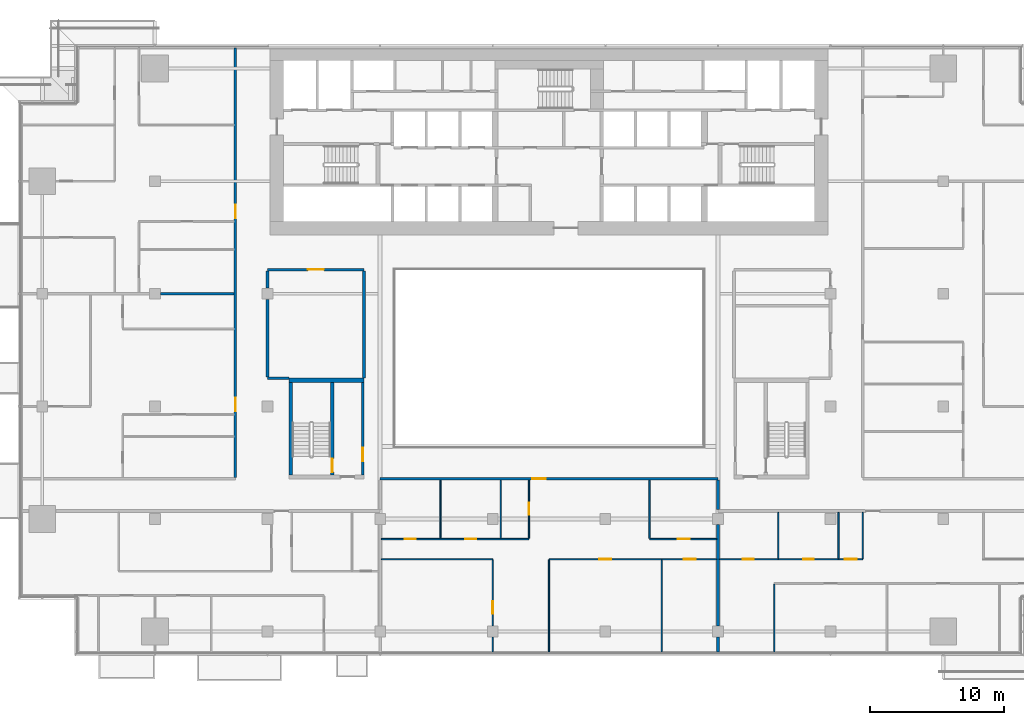
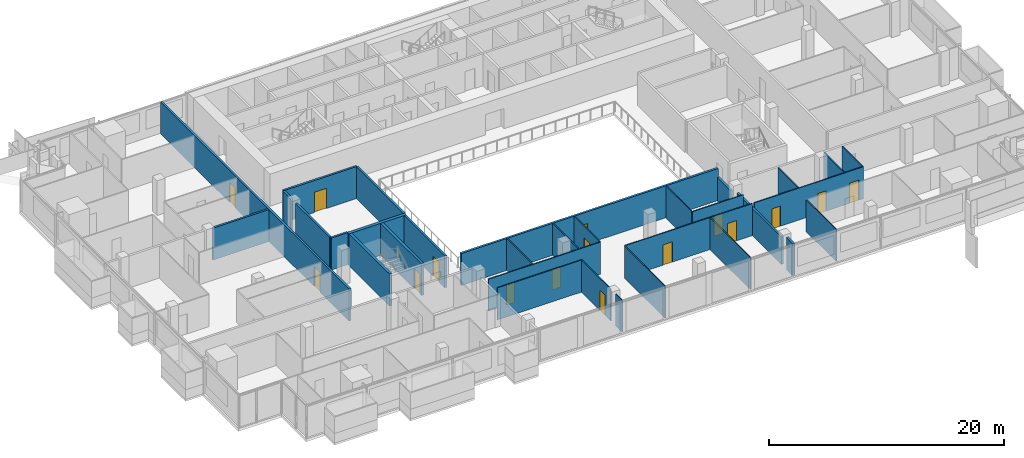
# One storey, part 18 of 29: 32 walls, 16 doors, 16 openings.
"""IFC4 building model written with IfcOpenShell, lengths in metres."""

import ifcopenshell
import ifcopenshell.guid

model = None  # the IFC model being written
_history = None  # IfcOwnerHistory: only IFC2X3 demands one
_inside = {}  # id of a spatial element -> (the spatial element, [elements in it])
_under = {}  # id of a project, library or spatial element -> (it, [spatial elements below it])
_declared = {}  # id of a project -> (the project, [libraries it declares])
_typed = {}  # id of a type object -> (the type object, [elements of that type])
_made_of = {}  # id of a material, layer set ... -> (it, [elements and type objects made of it])


def new_model(schema):
    """Start an empty IFC model of exactly this schema.

    Asked for "IFC4X3", IfcOpenShell would pick the latest addendum, in which some entities
    have other attributes; the version numbers below select the first issue.
    IFC2X3 requires an IfcOwnerHistory on every rooted entity: one is made here for all.
    """
    global model, _history
    if schema == "IFC4X3":
        model = ifcopenshell.file(schema_version=(4, 3, 0, 0))
    else:
        model = ifcopenshell.file(schema=schema)
    _inside.clear()
    _under.clear()
    _declared.clear()
    _typed.clear()
    _made_of.clear()
    _history = None
    if model.schema == "IFC2X3":
        org = make("IfcOrganization", Name="unknown")
        user = make(
            "IfcPersonAndOrganization",
            ThePerson=make("IfcPerson", FamilyName="unknown"),
            TheOrganization=org,
        )
        app = make(
            "IfcApplication",
            ApplicationDeveloper=org,
            Version="unknown",
            ApplicationFullName="unknown",
            ApplicationIdentifier="unknown",
        )
        _history = make(
            "IfcOwnerHistory",
            OwningUser=user,
            OwningApplication=app,
            ChangeAction="ADDED",
            CreationDate=0,
        )
    return model


def make(cls, **values):
    """One entity of the class cls with the attributes given. An attribute that is None is left unset."""
    return model.create_entity(
        cls, **{name: value for name, value in values.items() if value is not None}
    )


def rooted(cls, **values):
    """An entity with a GlobalId (a new one), such as an element, a storey or a relation."""
    return make(cls, GlobalId=ifcopenshell.guid.new(), OwnerHistory=_history, **values)


def si_unit(unit_type, name, prefix=None):
    """IfcSIUnit, for example si_unit("LENGTHUNIT", "METRE", prefix="MILLI")."""
    return make("IfcSIUnit", UnitType=unit_type, Prefix=prefix, Name=name)


def assignment(units):
    """IfcUnitAssignment: the units of a project."""
    return None if units is None else make("IfcUnitAssignment", Units=units)


def point(xyz):
    """IfcCartesianPoint."""
    return None if xyz is None else make("IfcCartesianPoint", Coordinates=xyz)


def direction(xyz):
    """IfcDirection."""
    return None if xyz is None else make("IfcDirection", DirectionRatios=xyz)


def frame(location, z_axis=None, x_axis=None):
    """IfcAxis2Placement3D, a coordinate frame: its origin and axes. An axis left out is left unset."""
    return make(
        "IfcAxis2Placement3D",
        Location=point(location),
        Axis=direction(z_axis),
        RefDirection=direction(x_axis),
    )


def frame_2d(location, x_axis=None):
    """IfcAxis2Placement2D, a coordinate frame in the plane: its origin and x axis."""
    return make(
        "IfcAxis2Placement2D", Location=point(location), RefDirection=direction(x_axis)
    )


def origin():
    """The frame at (0, 0, 0) with its axes left unset."""
    return frame((0.0, 0.0, 0.0))


def place(relative_to, where):
    """IfcLocalPlacement: puts the frame where relative to a parent placement (None: the world)."""
    return make(
        "IfcLocalPlacement", PlacementRelTo=relative_to, RelativePlacement=where
    )


def context(
    kind, dimensions, precision=None, world=None, true_north=None, identifier=None
):
    """IfcGeometricRepresentationContext, for example the 3D "Model" context."""
    return make(
        "IfcGeometricRepresentationContext",
        ContextIdentifier=identifier,
        ContextType=kind,
        CoordinateSpaceDimension=dimensions,
        Precision=precision,
        WorldCoordinateSystem=world,
        TrueNorth=true_north,
    )


def subcontext(parent, identifier, kind, view, scale=None):
    """IfcGeometricRepresentationSubContext, for example "Body" below "Model"."""
    return make(
        "IfcGeometricRepresentationSubContext",
        ContextIdentifier=identifier,
        ContextType=kind,
        ParentContext=parent,
        TargetScale=scale,
        TargetView=view,
    )


def project(units=None, contexts=None):
    """IfcProject with its units and contexts."""
    return rooted(
        "IfcProject",
        Name="project",
        RepresentationContexts=contexts,
        UnitsInContext=assignment(units),
    )


def spatial(cls, under=None, at=None, **own):
    """A site, building, storey or space (cls), placed at a placement, below another one or the project."""
    s = rooted(cls, ObjectPlacement=at, **own)
    if under is not None:
        _under.setdefault(under.id(), (under, []))[1].append(s)
    return s


def profile(cls, at=None, kind="AREA", **sizes):
    """A parametric profile (cls). Its sizes go by their IFC names, for example OverallWidth=200.0."""
    return make(cls, ProfileType=kind, Position=at, **sizes)


def rectangle(**sizes):
    """IfcRectangleProfileDef."""
    return profile("IfcRectangleProfileDef", **sizes)


def extrude(swept, where, along, depth):
    """IfcExtrudedAreaSolid: the profile swept, set in the frame where, extruded along a direction by depth."""
    return make(
        "IfcExtrudedAreaSolid",
        SweptArea=swept,
        Position=where,
        ExtrudedDirection=direction(along),
        Depth=depth,
    )


def shape(context_of_items, identifier, shape_type, items):
    """IfcShapeRepresentation: the items that make up one representation, for example the "Body"."""
    return make(
        "IfcShapeRepresentation",
        ContextOfItems=context_of_items,
        RepresentationIdentifier=identifier,
        RepresentationType=shape_type,
        Items=items,
    )


def material(Name=None, Category=None):
    """IfcMaterial."""
    return make("IfcMaterial", Name=Name, Category=Category)


def layer(
    of_material, thickness, ventilated=None, Name=None, Category=None, Priority=None
):
    """IfcMaterialLayer: one layer of a wall or slab, of a material (None: an air gap)."""
    return make(
        "IfcMaterialLayer",
        Material=of_material,
        LayerThickness=thickness,
        IsVentilated=ventilated,
        Name=Name,
        Category=Category,
        Priority=Priority,
    )


def layer_set(layers, Name=None):
    """IfcMaterialLayerSet."""
    return make("IfcMaterialLayerSet", MaterialLayers=layers, LayerSetName=Name)


def made_of(thing, what):
    """Note that an element or type object is made of a material, layer set ...; save() writes the relation."""
    if what is not None:
        _made_of.setdefault(what.id(), (what, []))[1].append(thing)
    return thing


def type_object(cls, material=None, **own):
    """A type object (cls), such as IfcWallType, which elements share."""
    return made_of(rooted(cls, **own), material)


def element(
    cls,
    number,
    at=None,
    inside=None,
    cuts=None,
    type_object=None,
    material=None,
    context=None,
    identifier="Body",
    shape_type=None,
    held_by="IfcProductDefinitionShape",
    body=None,
    shapes=None,
    **own,
):
    """One element of the class cls, such as IfcWall. Its Tag is "e" and its number.

    at: its placement. inside: the storey or other place that contains it. cuts: it is an
    opening in that element (IfcRelVoidsElement). A single representation is given by context,
    identifier, shape_type and body (its items); several are given by shapes. held_by: the class
    of the entity that holds the representations. save() writes the other relations.
    """
    e = rooted(cls, Tag="e%d" % number, ObjectPlacement=at, **own)
    if body is not None:
        shapes = [shape(context, identifier, shape_type, body)]
    if shapes is not None:
        e.Representation = make(held_by, Representations=shapes)
    if inside is not None:
        _inside.setdefault(inside.id(), (inside, []))[1].append(e)
    if cuts is not None:
        rooted(
            "IfcRelVoidsElement", RelatingBuildingElement=cuts, RelatedOpeningElement=e
        )
    if type_object is not None:
        _typed.setdefault(type_object.id(), (type_object, []))[1].append(e)
    return made_of(e, material)


def fill(opening, filler):
    """IfcRelFillsElement: the door or window that sits in an opening."""
    return rooted(
        "IfcRelFillsElement",
        RelatingOpeningElement=opening,
        RelatedBuildingElement=filler,
    )


def aggregate(whole, parts):
    """IfcRelAggregates: a whole, such as a stair, and the parts it consists of."""
    return rooted("IfcRelAggregates", RelatingObject=whole, RelatedObjects=parts)


def save(model, path):
    """Write the relations noted so far, then the file.

    IfcRelAggregates (storeys below a building ...), IfcRelContainedInSpatialStructure (elements
    in a storey), IfcRelDefinesByType, IfcRelAssociatesMaterial and IfcRelDeclares: one each for
    every whole, place, type object, material and project.
    """
    for whole, parts in _under.values():
        aggregate(whole, parts)
    for where, things in _inside.values():
        rooted(
            "IfcRelContainedInSpatialStructure",
            RelatedElements=things,
            RelatingStructure=where,
        )
    for kind, things in _typed.values():
        rooted("IfcRelDefinesByType", RelatedObjects=things, RelatingType=kind)
    for what, things in _made_of.values():
        rooted("IfcRelAssociatesMaterial", RelatedObjects=things, RelatingMaterial=what)
    for by, libraries in _declared.values():
        rooted("IfcRelDeclares", RelatingContext=by, RelatedDefinitions=libraries)
    model.write(path)


model = new_model("IFC4")

# Units and contexts
model_context = context("Model", 3, precision=1e-05, world=origin(), true_north=direction((0.0, 1.0)))
body_context = subcontext(model_context, "Body", "Model", "MODEL_VIEW")
ifc_project = project(units=[si_unit("LENGTHUNIT", "METRE"), si_unit("AREAUNIT", "SQUARE_METRE"), si_unit("VOLUMEUNIT", "CUBIC_METRE"), si_unit("PLANEANGLEUNIT", "RADIAN"), si_unit("MASSUNIT", "GRAM", prefix="KILO")], contexts=[model_context])

# Site, building, storey
site_placement = place(None, origin())
site = spatial("IfcSite", under=ifc_project, at=site_placement, CompositionType="ELEMENT")
building_placement = place(site_placement, origin())
building = spatial("IfcBuilding", under=site, at=building_placement, Name="Saffron Gate Tower", CompositionType="ELEMENT")
storey_placement = place(building_placement, frame((0.0, 0.0, 106.050048828125)))
storey = spatial("IfcBuildingStorey", under=building, at=storey_placement, Name="L24", CompositionType="ELEMENT", Elevation=106.050048828125)

# Wall, opening, door
ifc_material_1 = material(Name="Gypsum board partition on steel studs", Category="steel")
ifc_layer_1 = layer(ifc_material_1, 0.199951171875)
ifc_layer_set_1 = layer_set([ifc_layer_1], Name="CW10 Core partition 200")
wall_type_1 = type_object("IfcWallType", Name="CW10 Core partition 200", PredefinedType="PARTITIONING", material=ifc_layer_set_1)
wall_1_placement = place(storey_placement, frame((73.699951171875, 43.5, 0.0), z_axis=(0.0, 0.0, 1.0), x_axis=(0.0, 1.0, 0.0)))
wall_1 = element("IfcWall", 1, at=wall_1_placement, inside=storey, type_object=wall_type_1, Name="Wall CW10-L24-D-4", PredefinedType="PARTITIONING", context=body_context, shape_type="SweptSolid", body=[
    extrude(rectangle(XDim=6.89990234375, YDim=0.199951171875, at=frame_2d((3.449951171875, 0.0))), origin(), (0.0, 0.0, 1.0), 3.320068359375),
])
opening_1_placement = place(wall_1_placement, frame((1.0, 0.0, 0.0)))
opening_1 = element("IfcOpeningElement", 2, at=opening_1_placement, cuts=wall_1, Name="Opening CR-19", PredefinedType="OPENING", context=body_context, shape_type="SweptSolid", body=[
    extrude(rectangle(XDim=1.0, YDim=2.10009765625, at=frame_2d((0.5, 1.050048828125))), frame((0.0, 0.10986328125, 0.0), z_axis=(0.0, -1.0, 0.0), x_axis=(1.0, 0.0, 0.0)), (0.0, 0.0, 1.0), 0.219970703125),
])
ifc_material_2 = material(Name="Steel fire door set", Category="steel")
door_type_1 = type_object("IfcDoorType", Name="CD4 Lobby door 1000x2100 EI 120", OperationType="NOTDEFINED", PredefinedType="DOOR", material=ifc_material_2)
door_1_placement = place(opening_1_placement, origin())
door_1 = element("IfcDoor", 3, at=door_1_placement, inside=storey, type_object=door_type_1, Name="DOOR CR-19", OperationType="SINGLE_SWING_RIGHT", OverallHeight=2.10009765625, OverallWidth=1.0, PredefinedType="DOOR", context=body_context, shape_type="SweptSolid", body=[
    extrude(rectangle(XDim=1.0, YDim=2.10009765625, at=frame_2d((0.5, 1.050048828125))), frame((0.0, 0.02490234375, 0.0), z_axis=(0.0, -1.0, 0.0), x_axis=(1.0, 0.0, 0.0)), (0.0, 0.0, 1.0), 0.050048828125),
])
fill(opening_1, door_1)

# Wall
ifc_material_3 = material(Name="Concrete C70", Category="concrete")
ifc_layer_2 = layer(ifc_material_3, 0.25)
ifc_layer_set_2 = layer_set([ifc_layer_2], Name="CW2 RC core wall 250 C70")
wall_type_2 = type_object("IfcWallType", Name="CW2 RC core wall 250 C70", PredefinedType="SOLIDWALL", material=ifc_layer_set_2)
wall_2_placement = place(storey_placement, frame((68.324951171875, 43.5, 0.0), z_axis=(0.0, 0.0, 1.0), x_axis=(0.0, 1.0, 0.0)))
element("IfcWall", 4, at=wall_2_placement, inside=storey, type_object=wall_type_2, Name="Wall CW2-L24-D-2", PredefinedType="SOLIDWALL", context=body_context, shape_type="SweptSolid", body=[
    extrude(rectangle(XDim=6.89990234375, YDim=0.25, at=frame_2d((3.449951171875, 0.0))), origin(), (0.0, 0.0, 1.0), 3.320068359375),
])

# Wall, opening, door
wall_3_placement = place(storey_placement, frame((71.425048828125, 43.5, 0.0), z_axis=(0.0, 0.0, 1.0), x_axis=(0.0, 1.0, 0.0)))
wall_3 = element("IfcWall", 5, at=wall_3_placement, inside=storey, type_object=wall_type_2, Name="Wall CW2-L24-D-3", PredefinedType="SOLIDWALL", context=body_context, shape_type="SweptSolid", body=[
    extrude(rectangle(XDim=6.89990234375, YDim=0.25, at=frame_2d((3.449951171875, 0.0))), origin(), (0.0, 0.0, 1.0), 3.320068359375),
])
opening_2_placement = place(wall_3_placement, frame((0.199951171875, 0.0, 0.0)))
opening_2 = element("IfcOpeningElement", 6, at=opening_2_placement, cuts=wall_3, Name="Opening CR-20", PredefinedType="OPENING", context=body_context, shape_type="SweptSolid", body=[
    extrude(rectangle(XDim=1.0, YDim=2.10009765625, at=frame_2d((0.5, 1.050048828125))), frame((0.0, 0.135009765625, 0.0), z_axis=(0.0, -1.0, 0.0), x_axis=(1.0, 0.0, 0.0)), (0.0, 0.0, 1.0), 0.27001953125),
])
door_type_2 = type_object("IfcDoorType", Name="CD5 Stair door 1000x2100 EI 120", OperationType="NOTDEFINED", PredefinedType="DOOR", material=ifc_material_2)
door_2_placement = place(opening_2_placement, origin())
door_2 = element("IfcDoor", 7, at=door_2_placement, inside=storey, type_object=door_type_2, Name="DOOR CR-20", OperationType="SINGLE_SWING_LEFT", OverallHeight=2.10009765625, OverallWidth=1.0, PredefinedType="DOOR", context=body_context, shape_type="SweptSolid", body=[
    extrude(rectangle(XDim=1.0, YDim=2.10009765625, at=frame_2d((0.5, 1.050048828125))), frame((0.0, 0.02490234375, 0.0), z_axis=(0.0, -1.0, 0.0), x_axis=(1.0, 0.0, 0.0)), (0.0, 0.0, 1.0), 0.050048828125),
])
fill(opening_2, door_2)

# Walls
ifc_layer_3 = layer(ifc_material_3, 0.300048828125)
ifc_layer_set_3 = layer_set([ifc_layer_3], Name="CW5 RC core wall 300 C70")
wall_type_3 = type_object("IfcWallType", Name="CW5 RC core wall 300 C70", PredefinedType="SOLIDWALL", material=ifc_layer_set_3)
wall_4_placement = place(storey_placement, frame((68.199951171875, 50.550048828125, 0.0), z_axis=(0.0, 0.0, 1.0), x_axis=(1.0, 0.0, 0.0)))
element("IfcWall", 8, at=wall_4_placement, inside=storey, type_object=wall_type_3, Name="Wall CW5-L24-D-5", PredefinedType="SOLIDWALL", context=body_context, shape_type="SweptSolid", body=[
    extrude(rectangle(XDim=5.60009765625, YDim=0.300048828125, at=frame_2d((2.800048828125, 0.0))), origin(), (0.0, 0.0, 1.0), 3.320068359375),
])
ifc_material_4 = material(Name="Plasterboard on steel studs", Category="steel")
ifc_layer_4 = layer(ifc_material_4, 0.10009765625)
ifc_layer_set_4 = layer_set([ifc_layer_4], Name="PW1 Partition 100")
wall_type_4 = type_object("IfcWallType", Name="PW1 Partition 100", PredefinedType="PARTITIONING", material=ifc_layer_set_4)
wall_5_placement = place(storey_placement, frame((75.10009765625, 37.199951171875, 0.0), z_axis=(0.0, 0.0, 1.0), x_axis=(1.0, 0.0, 0.0)))
element("IfcWall", 9, at=wall_5_placement, inside=storey, type_object=wall_type_4, Name="Partition B2-5", PredefinedType="PARTITIONING", context=body_context, shape_type="SweptSolid", body=[
    extrude(rectangle(XDim=8.2998046875, YDim=0.10009765625, at=frame_2d((4.14990234375, 0.0))), origin(), (0.0, 0.0, 1.0), 3.320068359375),
])

# Wall, openings, doors
wall_6_placement = place(storey_placement, frame((75.10009765625, 38.699951171875, 0.0), z_axis=(0.0, 0.0, 1.0), x_axis=(1.0, 0.0, 0.0)))
wall_6 = element("IfcWall", 10, at=wall_6_placement, inside=storey, type_object=wall_type_4, Name="Partition B2-7", PredefinedType="PARTITIONING", context=body_context, shape_type="SweptSolid", body=[
    extrude(rectangle(XDim=11.0, YDim=0.10009765625, at=frame_2d((5.5, 0.0))), origin(), (0.0, 0.0, 1.0), 3.320068359375),
])
opening_3_placement = place(wall_6_placement, frame((1.75, 0.0, 0.0)))
opening_3 = element("IfcOpeningElement", 11, at=opening_3_placement, cuts=wall_6, Name="Opening B2-38", PredefinedType="OPENING", context=body_context, shape_type="SweptSolid", body=[
    extrude(rectangle(XDim=0.800048828125, YDim=2.10009765625, at=frame_2d((0.39990234375, 1.050048828125))), frame((0.0, 0.06005859375, 0.0), z_axis=(0.0, -1.0, 0.0), x_axis=(1.0, 0.0, 0.0)), (0.0, 0.0, 1.0), 0.1201171875),
])
opening_4_placement = place(wall_6_placement, frame((6.25, 0.0, 0.0)))
opening_4 = element("IfcOpeningElement", 12, at=opening_4_placement, cuts=wall_6, Name="Opening B2-39", PredefinedType="OPENING", context=body_context, shape_type="SweptSolid", body=[
    extrude(rectangle(XDim=0.800048828125, YDim=2.10009765625, at=frame_2d((0.39990234375, 1.050048828125))), frame((0.0, 0.06005859375, 0.0), z_axis=(0.0, -1.0, 0.0), x_axis=(1.0, 0.0, 0.0)), (0.0, 0.0, 1.0), 0.1201171875),
])
ifc_material_5 = material(Name="Timber door set", Category="wood")
door_type_3 = type_object("IfcDoorType", Name="RD2 Bathroom door 800x2100", OperationType="NOTDEFINED", PredefinedType="DOOR", material=ifc_material_5)
door_3_placement = place(opening_3_placement, origin())
door_3 = element("IfcDoor", 13, at=door_3_placement, inside=storey, type_object=door_type_3, Name="Door B2-38", OperationType="SINGLE_SWING_LEFT", OverallHeight=2.10009765625, OverallWidth=0.800048828125, PredefinedType="DOOR", context=body_context, shape_type="SweptSolid", body=[
    extrude(rectangle(XDim=0.800048828125, YDim=2.10009765625, at=frame_2d((0.39990234375, 1.050048828125))), frame((0.0, 0.02490234375, 0.0), z_axis=(0.0, -1.0, 0.0), x_axis=(1.0, 0.0, 0.0)), (0.0, 0.0, 1.0), 0.050048828125),
])
fill(opening_3, door_3)
door_4_placement = place(opening_4_placement, origin())
door_4 = element("IfcDoor", 14, at=door_4_placement, inside=storey, type_object=door_type_3, Name="Door B2-39", OperationType="SINGLE_SWING_LEFT", OverallHeight=2.10009765625, OverallWidth=0.800048828125, PredefinedType="DOOR", context=body_context, shape_type="SweptSolid", body=[
    extrude(rectangle(XDim=0.800048828125, YDim=2.10009765625, at=frame_2d((0.39990234375, 1.050048828125))), frame((0.0, 0.02490234375, 0.0), z_axis=(0.0, -1.0, 0.0), x_axis=(1.0, 0.0, 0.0)), (0.0, 0.0, 1.0), 0.050048828125),
])
fill(opening_4, door_4)

# Wall, opening, door
wall_7_placement = place(storey_placement, frame((95.10009765625, 38.699951171875, 0.0), z_axis=(0.0, 0.0, 1.0), x_axis=(1.0, 0.0, 0.0)))
wall_7 = element("IfcWall", 15, at=wall_7_placement, inside=storey, type_object=wall_type_4, Name="Partition B2-8", PredefinedType="PARTITIONING", context=body_context, shape_type="SweptSolid", body=[
    extrude(rectangle(XDim=5.0, YDim=0.10009765625, at=frame_2d((2.5, 0.0))), origin(), (0.0, 0.0, 1.0), 3.320068359375),
])
opening_5_placement = place(wall_7_placement, frame((2.10009765625, 0.0, 0.0)))
opening_5 = element("IfcOpeningElement", 16, at=opening_5_placement, cuts=wall_7, Name="Opening B2-16", PredefinedType="OPENING", context=body_context, shape_type="SweptSolid", body=[
    extrude(rectangle(XDim=0.89990234375, YDim=2.10009765625, at=frame_2d((0.449951171875, 1.050048828125))), frame((0.0, 0.06005859375, 0.0), z_axis=(0.0, -1.0, 0.0), x_axis=(1.0, 0.0, 0.0)), (0.0, 0.0, 1.0), 0.1201171875),
])
door_type_4 = type_object("IfcDoorType", Name="RD1 Room door 900x2100", OperationType="NOTDEFINED", PredefinedType="DOOR", material=ifc_material_5)
door_5_placement = place(opening_5_placement, origin())
door_5 = element("IfcDoor", 17, at=door_5_placement, inside=storey, type_object=door_type_4, Name="Door B2-16", OperationType="SINGLE_SWING_RIGHT", OverallHeight=2.10009765625, OverallWidth=0.89990234375, PredefinedType="DOOR", context=body_context, shape_type="SweptSolid", body=[
    extrude(rectangle(XDim=0.89990234375, YDim=2.10009765625, at=frame_2d((0.449951171875, 1.050048828125))), frame((0.0, 0.02490234375, 0.0), z_axis=(0.0, -1.0, 0.0), x_axis=(1.0, 0.0, 0.0)), (0.0, 0.0, 1.0), 0.050048828125),
])
fill(opening_5, door_5)

# Walls
wall_8_placement = place(storey_placement, frame((79.5, 43.10009765625, 0.0), z_axis=(0.0, 0.0, 1.0), x_axis=(0.0, -1.0, 0.0)))
element("IfcWall", 18, at=wall_8_placement, inside=storey, type_object=wall_type_4, Name="Partition B2-72", PredefinedType="PARTITIONING", context=body_context, shape_type="SweptSolid", body=[
    extrude(rectangle(XDim=4.35009765625, YDim=0.10009765625, at=frame_2d((2.175048828125, 0.0))), origin(), (0.0, 0.0, 1.0), 3.320068359375),
])
wall_9_placement = place(storey_placement, frame((83.39990234375, 31.3798828125, 0.0), z_axis=(0.0, 0.0, 1.0), x_axis=(0.0, -1.0, 0.0)))
element("IfcWall", 19, at=wall_9_placement, inside=storey, type_object=wall_type_4, Name="Partition B2-73", PredefinedType="PARTITIONING", context=body_context, shape_type="SweptSolid", body=[
    extrude(rectangle(XDim=1.099853515625, YDim=0.10009765625, at=frame_2d((0.5498046875, 0.0))), origin(), (0.0, 0.0, 1.0), 3.320068359375),
])

# Wall, opening, door
wall_10_placement = place(storey_placement, frame((83.39990234375, 32.219970703125, 0.0), z_axis=(0.0, 0.0, 1.0), x_axis=(0.0, 1.0, 0.0)))
wall_10 = element("IfcWall", 20, at=wall_10_placement, inside=storey, type_object=wall_type_4, Name="Partition B2-74", PredefinedType="PARTITIONING", context=body_context, shape_type="SweptSolid", body=[
    extrude(rectangle(XDim=4.929931640625, YDim=0.10009765625, at=frame_2d((2.46484375, 0.0))), origin(), (0.0, 0.0, 1.0), 3.320068359375),
])
opening_6_placement = place(wall_10_placement, frame((0.929931640625, 0.0, 0.0)))
opening_6 = element("IfcOpeningElement", 21, at=opening_6_placement, cuts=wall_10, Name="Opening B2-13", PredefinedType="OPENING", context=body_context, shape_type="SweptSolid", body=[
    extrude(rectangle(XDim=0.89990234375, YDim=2.10009765625, at=frame_2d((0.449951171875, 1.050048828125))), frame((0.0, 0.06005859375, 0.0), z_axis=(0.0, -1.0, 0.0), x_axis=(1.0, 0.0, 0.0)), (0.0, 0.0, 1.0), 0.1201171875),
])
door_6_placement = place(opening_6_placement, origin())
door_6 = element("IfcDoor", 22, at=door_6_placement, inside=storey, type_object=door_type_4, Name="Door B2-13", OperationType="SINGLE_SWING_LEFT", OverallHeight=2.10009765625, OverallWidth=0.89990234375, PredefinedType="DOOR", context=body_context, shape_type="SweptSolid", body=[
    extrude(rectangle(XDim=0.89990234375, YDim=2.10009765625, at=frame_2d((0.449951171875, 1.050048828125))), frame((0.0, 0.02490234375, 0.0), z_axis=(0.0, -1.0, 0.0), x_axis=(1.0, 0.0, 0.0)), (0.0, 0.0, 1.0), 0.050048828125),
])
fill(opening_6, door_6)

# Wall
wall_11_placement = place(storey_placement, frame((84.0, 43.10009765625, 0.0), z_axis=(0.0, 0.0, 1.0), x_axis=(0.0, -1.0, 0.0)))
element("IfcWall", 23, at=wall_11_placement, inside=storey, type_object=wall_type_4, Name="Partition B2-75", PredefinedType="PARTITIONING", context=body_context, shape_type="SweptSolid", body=[
    extrude(rectangle(XDim=4.35009765625, YDim=0.10009765625, at=frame_2d((2.175048828125, 0.0))), origin(), (0.0, 0.0, 1.0), 3.320068359375),
])

# Wall, opening, door
wall_12_placement = place(storey_placement, frame((86.10009765625, 38.75, 0.0), z_axis=(0.0, 0.0, 1.0), x_axis=(0.0, 1.0, 0.0)))
wall_12 = element("IfcWall", 24, at=wall_12_placement, inside=storey, type_object=wall_type_4, Name="Partition B2-76", PredefinedType="PARTITIONING", context=body_context, shape_type="SweptSolid", body=[
    extrude(rectangle(XDim=4.35009765625, YDim=0.10009765625, at=frame_2d((2.175048828125, 0.0))), origin(), (0.0, 0.0, 1.0), 3.320068359375),
])
opening_7_placement = place(wall_12_placement, frame((1.75, 0.0, 0.0)))
opening_7 = element("IfcOpeningElement", 25, at=opening_7_placement, cuts=wall_12, Name="Opening B2-17", PredefinedType="OPENING", context=body_context, shape_type="SweptSolid", body=[
    extrude(rectangle(XDim=0.89990234375, YDim=2.10009765625, at=frame_2d((0.449951171875, 1.050048828125))), frame((0.0, 0.06005859375, 0.0), z_axis=(0.0, -1.0, 0.0), x_axis=(1.0, 0.0, 0.0)), (0.0, 0.0, 1.0), 0.1201171875),
])
door_7_placement = place(opening_7_placement, origin())
door_7 = element("IfcDoor", 26, at=door_7_placement, inside=storey, type_object=door_type_4, Name="Door B2-17", OperationType="SINGLE_SWING_RIGHT", OverallHeight=2.10009765625, OverallWidth=0.89990234375, PredefinedType="DOOR", context=body_context, shape_type="SweptSolid", body=[
    extrude(rectangle(XDim=0.89990234375, YDim=2.10009765625, at=frame_2d((0.449951171875, 1.050048828125))), frame((0.0, 0.02490234375, 0.0), z_axis=(0.0, -1.0, 0.0), x_axis=(1.0, 0.0, 0.0)), (0.0, 0.0, 1.0), 0.050048828125),
])
fill(opening_7, door_7)

# Walls
wall_13_placement = place(storey_placement, frame((87.60009765625, 37.14990234375, 0.0), z_axis=(0.0, 0.0, 1.0), x_axis=(0.0, -1.0, 0.0)))
element("IfcWall", 27, at=wall_13_placement, inside=storey, type_object=wall_type_4, Name="Partition B2-77", PredefinedType="PARTITIONING", context=body_context, shape_type="SweptSolid", body=[
    extrude(rectangle(XDim=6.869873046875, YDim=0.10009765625, at=frame_2d((3.43505859375, 0.0))), origin(), (0.0, 0.0, 1.0), 3.320068359375),
])
wall_14_placement = place(storey_placement, frame((95.10009765625, 43.10009765625, 0.0), z_axis=(0.0, 0.0, 1.0), x_axis=(0.0, -1.0, 0.0)))
element("IfcWall", 28, at=wall_14_placement, inside=storey, type_object=wall_type_4, Name="Partition B2-78", PredefinedType="PARTITIONING", context=body_context, shape_type="SweptSolid", body=[
    extrude(rectangle(XDim=4.35009765625, YDim=0.10009765625, at=frame_2d((2.175048828125, 0.0))), origin(), (0.0, 0.0, 1.0), 3.320068359375),
])
wall_15_placement = place(storey_placement, frame((96.0, 37.14990234375, 0.0), z_axis=(0.0, 0.0, 1.0), x_axis=(0.0, -1.0, 0.0)))
element("IfcWall", 29, at=wall_15_placement, inside=storey, type_object=wall_type_4, Name="Partition B2-79", PredefinedType="PARTITIONING", context=body_context, shape_type="SweptSolid", body=[
    extrude(rectangle(XDim=6.869873046875, YDim=0.10009765625, at=frame_2d((3.43505859375, 0.0))), origin(), (0.0, 0.0, 1.0), 3.320068359375),
])
wall_16_placement = place(storey_placement, frame((104.39990234375, 35.35009765625, 0.0), z_axis=(0.0, 0.0, 1.0), x_axis=(0.0, -1.0, 0.0)))
element("IfcWall", 30, at=wall_16_placement, inside=storey, type_object=wall_type_4, Name="Partition B2-84", PredefinedType="PARTITIONING", context=body_context, shape_type="SweptSolid", body=[
    extrude(rectangle(XDim=5.070068359375, YDim=0.10009765625, at=frame_2d((2.53515625, 0.0))), origin(), (0.0, 0.0, 1.0), 3.320068359375),
])
for number, where, z_axis, x_axis, name in (
    (31, (104.699951171875, 40.699951171875, 0.0), (0.0, 0.0, 1.0), (0.0, -1.0, 0.0), "Partition B2-85"),
    (32, (109.199951171875, 40.699951171875, 0.0), (0.0, 0.0, 1.0), (0.0, -1.0, 0.0), "Partition B2-88"),
    (33, (111.0, 40.699951171875, 0.0), (0.0, 0.0, 1.0), (0.0, -1.0, 0.0), "Partition B2-90"),
):
    element("IfcWall", number, at=place(storey_placement, frame(where, z_axis=z_axis, x_axis=x_axis)), inside=storey, type_object=wall_type_4, Name=name, PredefinedType="PARTITIONING", context=body_context, shape_type="SweptSolid", body=[
        extrude(rectangle(XDim=3.449951171875, YDim=0.10009765625, at=frame_2d((1.72509765625, 0.0))), origin(), (0.0, 0.0, 1.0), 3.320068359375),
    ])

# Wall, openings, doors
wall_17_placement = place(storey_placement, frame((100.10009765625, 37.199951171875, 0.0), z_axis=(0.0, 0.0, 1.0), x_axis=(-1.0, 0.0, 0.0)))
wall_17 = element("IfcWall", 34, at=wall_17_placement, inside=storey, type_object=wall_type_4, Name="Partition B2-100", PredefinedType="PARTITIONING", context=body_context, shape_type="SweptSolid", body=[
    extrude(rectangle(XDim=12.5, YDim=0.10009765625, at=frame_2d((6.25, 0.0))), origin(), (0.0, 0.0, 1.0), 3.320068359375),
])
opening_8_placement = place(wall_17_placement, frame((1.550048828125, 0.0, 0.0)))
opening_8 = element("IfcOpeningElement", 35, at=opening_8_placement, cuts=wall_17, Name="Opening B2-15", PredefinedType="OPENING", context=body_context, shape_type="SweptSolid", body=[
    extrude(rectangle(XDim=0.89990234375, YDim=2.10009765625, at=frame_2d((0.449951171875, 1.050048828125))), frame((0.0, 0.06005859375, 0.0), z_axis=(0.0, -1.0, 0.0), x_axis=(1.0, 0.0, 0.0)), (0.0, 0.0, 1.0), 0.1201171875),
])
opening_9_placement = place(wall_17_placement, frame((7.85009765625, 0.0, 0.0)))
opening_9 = element("IfcOpeningElement", 36, at=opening_9_placement, cuts=wall_17, Name="Opening B2-14", PredefinedType="OPENING", context=body_context, shape_type="SweptSolid", body=[
    extrude(rectangle(XDim=0.89990234375, YDim=2.10009765625, at=frame_2d((0.449951171875, 1.050048828125))), frame((0.0, 0.06005859375, 0.0), z_axis=(0.0, -1.0, 0.0), x_axis=(1.0, 0.0, 0.0)), (0.0, 0.0, 1.0), 0.1201171875),
])
door_8_placement = place(opening_8_placement, origin())
door_8 = element("IfcDoor", 37, at=door_8_placement, inside=storey, type_object=door_type_4, Name="Door B2-15", OperationType="SINGLE_SWING_LEFT", OverallHeight=2.10009765625, OverallWidth=0.89990234375, PredefinedType="DOOR", context=body_context, shape_type="SweptSolid", body=[
    extrude(rectangle(XDim=0.89990234375, YDim=2.10009765625, at=frame_2d((0.449951171875, 1.050048828125))), frame((0.0, 0.02490234375, 0.0), z_axis=(0.0, -1.0, 0.0), x_axis=(1.0, 0.0, 0.0)), (0.0, 0.0, 1.0), 0.050048828125),
])
fill(opening_8, door_8)
door_9_placement = place(opening_9_placement, origin())
door_9 = element("IfcDoor", 38, at=door_9_placement, inside=storey, type_object=door_type_4, Name="Door B2-14", OperationType="SINGLE_SWING_RIGHT", OverallHeight=2.10009765625, OverallWidth=0.89990234375, PredefinedType="DOOR", context=body_context, shape_type="SweptSolid", body=[
    extrude(rectangle(XDim=0.89990234375, YDim=2.10009765625, at=frame_2d((0.449951171875, 1.050048828125))), frame((0.0, 0.02490234375, 0.0), z_axis=(0.0, -1.0, 0.0), x_axis=(1.0, 0.0, 0.0)), (0.0, 0.0, 1.0), 0.050048828125),
])
fill(opening_9, door_9)

wall_18_placement = place(storey_placement, frame((100.300048828125, 37.199951171875, 0.0), z_axis=(0.0, 0.0, 1.0), x_axis=(1.0, 0.0, 0.0)))
wall_18 = element("IfcWall", 39, at=wall_18_placement, inside=storey, type_object=wall_type_4, Name="Partition B2-101", PredefinedType="PARTITIONING", context=body_context, shape_type="SweptSolid", body=[
    extrude(rectangle(XDim=10.699951171875, YDim=0.10009765625, at=frame_2d((5.35009765625, 0.0))), origin(), (0.0, 0.0, 1.0), 3.320068359375),
])
opening_10_placement = place(wall_18_placement, frame((1.75, 0.0, 0.0)))
opening_10 = element("IfcOpeningElement", 40, at=opening_10_placement, cuts=wall_18, Name="Opening B2-40", PredefinedType="OPENING", context=body_context, shape_type="SweptSolid", body=[
    extrude(rectangle(XDim=0.800048828125, YDim=2.10009765625, at=frame_2d((0.39990234375, 1.050048828125))), frame((0.0, 0.06005859375, 0.0), z_axis=(0.0, -1.0, 0.0), x_axis=(1.0, 0.0, 0.0)), (0.0, 0.0, 1.0), 0.1201171875),
])
opening_11_placement = place(wall_18_placement, frame((6.25, 0.0, 0.0)))
opening_11 = element("IfcOpeningElement", 41, at=opening_11_placement, cuts=wall_18, Name="Opening B2-41", PredefinedType="OPENING", context=body_context, shape_type="SweptSolid", body=[
    extrude(rectangle(XDim=0.800048828125, YDim=2.10009765625, at=frame_2d((0.39990234375, 1.050048828125))), frame((0.0, 0.06005859375, 0.0), z_axis=(0.0, -1.0, 0.0), x_axis=(1.0, 0.0, 0.0)), (0.0, 0.0, 1.0), 0.1201171875),
])
opening_12_placement = place(wall_18_placement, frame((9.35009765625, 0.0, 0.0)))
opening_12 = element("IfcOpeningElement", 42, at=opening_12_placement, cuts=wall_18, Name="Opening B2-22", PredefinedType="OPENING", context=body_context, shape_type="SweptSolid", body=[
    extrude(rectangle(XDim=0.89990234375, YDim=2.10009765625, at=frame_2d((0.449951171875, 1.050048828125))), frame((0.0, 0.06005859375, 0.0), z_axis=(0.0, -1.0, 0.0), x_axis=(1.0, 0.0, 0.0)), (0.0, 0.0, 1.0), 0.1201171875),
])
door_10_placement = place(opening_12_placement, origin())
door_10 = element("IfcDoor", 43, at=door_10_placement, inside=storey, type_object=door_type_4, Name="Door B2-22", OperationType="SINGLE_SWING_LEFT", OverallHeight=2.10009765625, OverallWidth=0.89990234375, PredefinedType="DOOR", context=body_context, shape_type="SweptSolid", body=[
    extrude(rectangle(XDim=0.89990234375, YDim=2.10009765625, at=frame_2d((0.449951171875, 1.050048828125))), frame((0.0, 0.02490234375, 0.0), z_axis=(0.0, -1.0, 0.0), x_axis=(1.0, 0.0, 0.0)), (0.0, 0.0, 1.0), 0.050048828125),
])
fill(opening_12, door_10)
door_11_placement = place(opening_10_placement, origin())
door_11 = element("IfcDoor", 44, at=door_11_placement, inside=storey, type_object=door_type_3, Name="Door B2-40", OperationType="SINGLE_SWING_LEFT", OverallHeight=2.10009765625, OverallWidth=0.800048828125, PredefinedType="DOOR", context=body_context, shape_type="SweptSolid", body=[
    extrude(rectangle(XDim=0.800048828125, YDim=2.10009765625, at=frame_2d((0.39990234375, 1.050048828125))), frame((0.0, 0.02490234375, 0.0), z_axis=(0.0, -1.0, 0.0), x_axis=(1.0, 0.0, 0.0)), (0.0, 0.0, 1.0), 0.050048828125),
])
fill(opening_10, door_11)
door_12_placement = place(opening_11_placement, origin())
door_12 = element("IfcDoor", 45, at=door_12_placement, inside=storey, type_object=door_type_3, Name="Door B2-41", OperationType="SINGLE_SWING_RIGHT", OverallHeight=2.10009765625, OverallWidth=0.800048828125, PredefinedType="DOOR", context=body_context, shape_type="SweptSolid", body=[
    extrude(rectangle(XDim=0.800048828125, YDim=2.10009765625, at=frame_2d((0.39990234375, 1.050048828125))), frame((0.0, 0.02490234375, 0.0), z_axis=(0.0, -1.0, 0.0), x_axis=(1.0, 0.0, 0.0)), (0.0, 0.0, 1.0), 0.050048828125),
])
fill(opening_11, door_12)

# Walls
ifc_material_6 = material(Name="Clay brick masonry, rendered", Category="masonry")
ifc_layer_5 = layer(ifc_material_6, 0.199951171875)
ifc_layer_set_5 = layer_set([ifc_layer_5], Name="PW2 Demising wall 200")
wall_type_5 = type_object("IfcWallType", Name="PW2 Demising wall 200", PredefinedType="PARTITIONING", material=ifc_layer_set_5)
wall_19_placement = place(storey_placement, frame((58.6201171875, 57.0, 0.0), z_axis=(0.0, 0.0, 1.0), x_axis=(1.0, 0.0, 0.0)))
element("IfcWall", 46, at=wall_19_placement, inside=storey, type_object=wall_type_5, Name="Wall B2-31", PredefinedType="PARTITIONING", context=body_context, shape_type="SweptSolid", body=[
    extrude(rectangle(XDim=5.47998046875, YDim=0.199951171875, at=frame_2d((2.739990234375, 0.0))), origin(), (0.0, 0.0, 1.0), 3.320068359375),
])
wall_20_placement = place(storey_placement, frame((100.199951171875, 31.3798828125, 0.0), z_axis=(0.0, 0.0, 1.0), x_axis=(0.0, -1.0, 0.0)))
element("IfcWall", 47, at=wall_20_placement, inside=storey, type_object=wall_type_5, Name="Wall B2-81", PredefinedType="PARTITIONING", context=body_context, shape_type="SweptSolid", body=[
    extrude(rectangle(XDim=1.099853515625, YDim=0.199951171875, at=frame_2d((0.5498046875, 0.0))), origin(), (0.0, 0.0, 1.0), 3.320068359375),
])
wall_21_placement = place(storey_placement, frame((100.199951171875, 39.780029296875, 0.0), z_axis=(0.0, 0.0, 1.0), x_axis=(0.0, -1.0, 0.0)))
element("IfcWall", 48, at=wall_21_placement, inside=storey, type_object=wall_type_5, Name="Wall B2-82", PredefinedType="PARTITIONING", context=body_context, shape_type="SweptSolid", body=[
    extrude(rectangle(XDim=7.56005859375, YDim=0.199951171875, at=frame_2d((3.780029296875, 0.0))), origin(), (0.0, 0.0, 1.0), 2.829833984375),
])

# Wall, opening, door
ifc_layer_6 = layer(ifc_material_6, 0.199951171875)
ifc_layer_set_6 = layer_set([ifc_layer_6], Name="PW3 Corridor wall 200")
wall_type_6 = type_object("IfcWallType", Name="PW3 Corridor wall 200", PredefinedType="PARTITIONING", material=ifc_layer_set_6)
wall_22_placement = place(storey_placement, frame((100.199951171875, 43.199951171875, 0.0), z_axis=(0.0, 0.0, 1.0), x_axis=(-1.0, 0.0, 0.0)))
wall_22 = element("IfcWall", 49, at=wall_22_placement, inside=storey, type_object=wall_type_6, Name="Wall B2-14", PredefinedType="PARTITIONING", context=body_context, shape_type="SweptSolid", body=[
    extrude(rectangle(XDim=25.199951171875, YDim=0.199951171875, at=frame_2d((12.60009765625, 0.0))), origin(), (0.0, 0.0, 1.0), 3.320068359375),
])
opening_13_placement = place(wall_22_placement, frame((12.85009765625, 0.0, 0.0)))
opening_13 = element("IfcOpeningElement", 50, at=opening_13_placement, cuts=wall_22, Name="Opening B2-2", PredefinedType="OPENING", context=body_context, shape_type="SweptSolid", body=[
    extrude(rectangle(XDim=1.0, YDim=2.10009765625, at=frame_2d((0.5, 1.050048828125))), frame((0.0, 0.10986328125, 0.0), z_axis=(0.0, -1.0, 0.0), x_axis=(1.0, 0.0, 0.0)), (0.0, 0.0, 1.0), 0.219970703125),
])
ifc_material_7 = material(Name="Timber fire door set", Category="wood")
door_type_5 = type_object("IfcDoorType", Name="FD1 Flat entry door 1000x2100", OperationType="NOTDEFINED", PredefinedType="DOOR", material=ifc_material_7)
door_13_placement = place(opening_13_placement, origin())
door_13 = element("IfcDoor", 51, at=door_13_placement, inside=storey, type_object=door_type_5, Name="Door B2-2", OperationType="SINGLE_SWING_RIGHT", OverallHeight=2.10009765625, OverallWidth=1.0, PredefinedType="DOOR", context=body_context, shape_type="SweptSolid", body=[
    extrude(rectangle(XDim=1.0, YDim=2.10009765625, at=frame_2d((0.5, 1.050048828125))), frame((0.0, 0.02490234375, 0.0), z_axis=(0.0, -1.0, 0.0), x_axis=(1.0, 0.0, 0.0)), (0.0, 0.0, 1.0), 0.050048828125),
])
fill(opening_13, door_13)

# Wall
wall_23_placement = place(storey_placement, frame((66.60009765625, 50.699951171875, 0.0), z_axis=(0.0, 0.0, 1.0), x_axis=(1.0, 0.0, 0.0)))
element("IfcWall", 52, at=wall_23_placement, inside=storey, type_object=wall_type_6, Name="Wall B2-24", PredefinedType="PARTITIONING", context=body_context, shape_type="SweptSolid", body=[
    extrude(rectangle(XDim=1.599853515625, YDim=0.199951171875, at=frame_2d((0.7998046875, 0.0))), origin(), (0.0, 0.0, 1.0), 3.320068359375),
])

# Wall, opening, door
wall_24_placement = place(storey_placement, frame((73.800048828125, 58.800048828125, 0.0), z_axis=(0.0, 0.0, 1.0), x_axis=(-1.0, 0.0, 0.0)))
wall_24 = element("IfcWall", 53, at=wall_24_placement, inside=storey, type_object=wall_type_6, Name="Wall B2-34", PredefinedType="PARTITIONING", context=body_context, shape_type="SweptSolid", body=[
    extrude(rectangle(XDim=7.199951171875, YDim=0.199951171875, at=frame_2d((3.60009765625, 0.0))), origin(), (0.0, 0.0, 1.0), 3.320068359375),
])
opening_14_placement = place(wall_24_placement, frame((3.0, 0.0, 0.0)))
opening_14 = element("IfcOpeningElement", 54, at=opening_14_placement, cuts=wall_24, Name="Opening B2-49", PredefinedType="OPENING", context=body_context, shape_type="SweptSolid", body=[
    extrude(rectangle(XDim=1.199951171875, YDim=2.10009765625, at=frame_2d((0.60009765625, 1.050048828125))), frame((0.0, 0.10986328125, 0.0), z_axis=(0.0, -1.0, 0.0), x_axis=(1.0, 0.0, 0.0)), (0.0, 0.0, 1.0), 0.219970703125),
])
door_type_6 = type_object("IfcDoorType", Name="HD1 Hall door 1200x2100", OperationType="NOTDEFINED", PredefinedType="DOOR", material=ifc_material_5)
door_14_placement = place(opening_14_placement, origin())
door_14 = element("IfcDoor", 55, at=door_14_placement, inside=storey, type_object=door_type_6, Name="Door B2-49", OperationType="SINGLE_SWING_LEFT", OverallHeight=2.10009765625, OverallWidth=1.199951171875, PredefinedType="DOOR", context=body_context, shape_type="SweptSolid", body=[
    extrude(rectangle(XDim=1.199951171875, YDim=2.10009765625, at=frame_2d((0.60009765625, 1.050048828125))), frame((0.0, 0.02490234375, 0.0), z_axis=(0.0, -1.0, 0.0), x_axis=(1.0, 0.0, 0.0)), (0.0, 0.0, 1.0), 0.050048828125),
])
fill(opening_14, door_14)

# Wall, openings, doors
wall_25_placement = place(storey_placement, frame((64.199951171875, 43.300048828125, 0.0), z_axis=(0.0, 0.0, 1.0), x_axis=(0.0, 1.0, 0.0)))
wall_25 = element("IfcWall", 56, at=wall_25_placement, inside=storey, type_object=wall_type_6, Name="Wall B2-61", PredefinedType="PARTITIONING", context=body_context, shape_type="SweptSolid", body=[
    extrude(rectangle(XDim=32.02001953125, YDim=0.199951171875, at=frame_2d((16.010009765625, 0.0))), origin(), (0.0, 0.0, 1.0), 3.320068359375),
])
opening_15_placement = place(wall_25_placement, frame((4.949951171875, 0.0, 0.0)))
opening_15 = element("IfcOpeningElement", 57, at=opening_15_placement, cuts=wall_25, Name="Opening B2-4", PredefinedType="OPENING", context=body_context, shape_type="SweptSolid", body=[
    extrude(rectangle(XDim=1.0, YDim=2.10009765625, at=frame_2d((0.5, 1.050048828125))), frame((0.0, 0.10986328125, 0.0), z_axis=(0.0, -1.0, 0.0), x_axis=(1.0, 0.0, 0.0)), (0.0, 0.0, 1.0), 0.219970703125),
])
opening_16_placement = place(wall_25_placement, frame((19.35009765625, 0.0, 0.0)))
opening_16 = element("IfcOpeningElement", 58, at=opening_16_placement, cuts=wall_25, Name="Opening B2-5", PredefinedType="OPENING", context=body_context, shape_type="SweptSolid", body=[
    extrude(rectangle(XDim=1.0, YDim=2.10009765625, at=frame_2d((0.5, 1.050048828125))), frame((0.0, 0.10986328125, 0.0), z_axis=(0.0, -1.0, 0.0), x_axis=(1.0, 0.0, 0.0)), (0.0, 0.0, 1.0), 0.219970703125),
])
door_15_placement = place(opening_15_placement, origin())
door_15 = element("IfcDoor", 59, at=door_15_placement, inside=storey, type_object=door_type_5, Name="Door B2-4", OperationType="SINGLE_SWING_RIGHT", OverallHeight=2.10009765625, OverallWidth=1.0, PredefinedType="DOOR", context=body_context, shape_type="SweptSolid", body=[
    extrude(rectangle(XDim=1.0, YDim=2.10009765625, at=frame_2d((0.5, 1.050048828125))), frame((0.0, 0.02490234375, 0.0), z_axis=(0.0, -1.0, 0.0), x_axis=(1.0, 0.0, 0.0)), (0.0, 0.0, 1.0), 0.050048828125),
])
fill(opening_15, door_15)
door_16_placement = place(opening_16_placement, origin())
door_16 = element("IfcDoor", 60, at=door_16_placement, inside=storey, type_object=door_type_5, Name="Door B2-5", OperationType="SINGLE_SWING_RIGHT", OverallHeight=2.10009765625, OverallWidth=1.0, PredefinedType="DOOR", context=body_context, shape_type="SweptSolid", body=[
    extrude(rectangle(XDim=1.0, YDim=2.10009765625, at=frame_2d((0.5, 1.050048828125))), frame((0.0, 0.02490234375, 0.0), z_axis=(0.0, -1.0, 0.0), x_axis=(1.0, 0.0, 0.0)), (0.0, 0.0, 1.0), 0.050048828125),
])
fill(opening_16, door_16)

# Walls
wall_26_placement = place(storey_placement, frame((66.60009765625, 56.580078125, 0.0), z_axis=(0.0, 0.0, 1.0), x_axis=(0.0, -1.0, 0.0)))
element("IfcWall", 61, at=wall_26_placement, inside=storey, type_object=wall_type_6, Name="Wall B2-62", PredefinedType="PARTITIONING", context=body_context, shape_type="SweptSolid", body=[
    extrude(rectangle(XDim=5.780029296875, YDim=0.199951171875, at=frame_2d((2.89013671875, 0.0))), origin(), (0.0, 0.0, 1.0), 3.320068359375),
])
wall_27_placement = place(storey_placement, frame((66.60009765625, 58.699951171875, 0.0), z_axis=(0.0, 0.0, 1.0), x_axis=(0.0, -1.0, 0.0)))
element("IfcWall", 62, at=wall_27_placement, inside=storey, type_object=wall_type_6, Name="Wall B2-63", PredefinedType="PARTITIONING", context=body_context, shape_type="SweptSolid", body=[
    extrude(rectangle(XDim=1.280029296875, YDim=0.199951171875, at=frame_2d((0.64013671875, 0.0))), origin(), (0.0, 0.0, 1.0), 3.320068359375),
])
wall_28_placement = place(storey_placement, frame((73.800048828125, 58.699951171875, 0.0), z_axis=(0.0, 0.0, 1.0), x_axis=(0.0, -1.0, 0.0)))
element("IfcWall", 63, at=wall_28_placement, inside=storey, type_object=wall_type_6, Name="Wall B2-68", PredefinedType="PARTITIONING", context=body_context, shape_type="SweptSolid", body=[
    extrude(rectangle(XDim=8.0, YDim=0.199951171875, at=frame_2d((4.0, 0.0))), origin(), (0.0, 0.0, 1.0), 3.320068359375),
])
wall_29_placement = place(storey_placement, frame((100.199951171875, 43.10009765625, 0.0), z_axis=(0.0, 0.0, 1.0), x_axis=(0.0, -1.0, 0.0)))
element("IfcWall", 64, at=wall_29_placement, inside=storey, type_object=wall_type_6, Name="Wall B2-80", PredefinedType="PARTITIONING", context=body_context, shape_type="SweptSolid", body=[
    extrude(rectangle(XDim=2.2001953125, YDim=0.199951171875, at=frame_2d((1.10009765625, 0.0))), origin(), (0.0, 0.0, 1.0), 2.429931640625),
])

save(model, "model.ifc")
